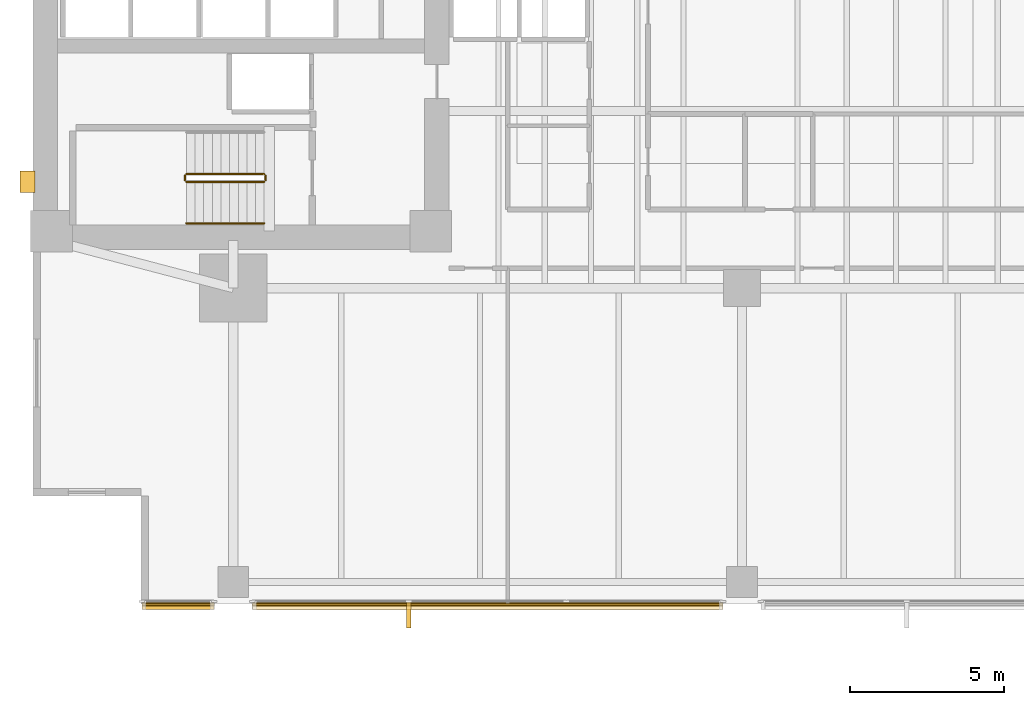
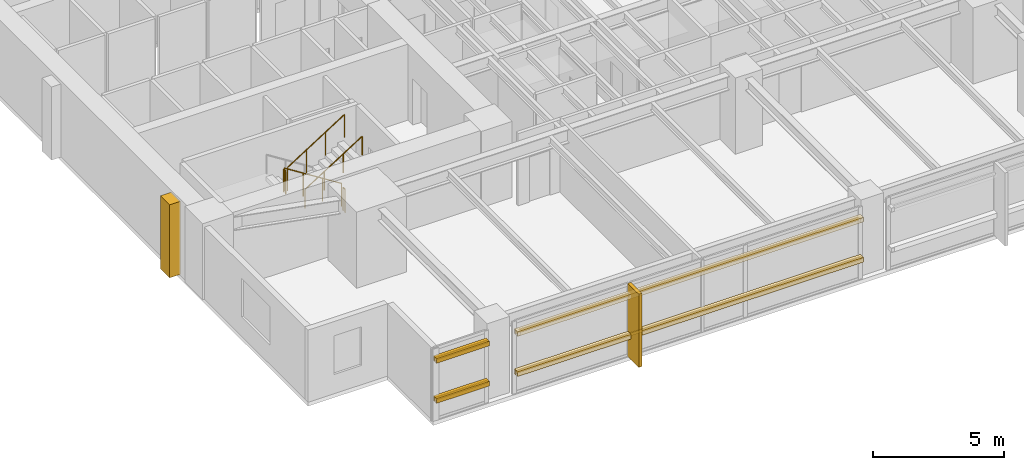
# One storey, part 12 of 15: 6 coverings, 5 railings, 4 shading devices.
"""IFC4 building model written with IfcOpenShell, lengths in metres."""

from ifc_helpers import new_model, si_unit, direction, frame, origin, origin_2d, place, context, subcontext, project, spatial, polyline, rectangle, circle, outline, extrude, material, layer, layer_set, material_profile, profile_set, type_object, element, save


model = new_model("IFC4")

# Units and contexts
model_context = context("Model", 3, precision=1e-05, world=origin(), true_north=direction((0.0, 1.0)))
body_context = subcontext(model_context, "Body", "Model", "MODEL_VIEW")
ifc_project = project(units=[si_unit("LENGTHUNIT", "METRE"), si_unit("AREAUNIT", "SQUARE_METRE"), si_unit("VOLUMEUNIT", "CUBIC_METRE"), si_unit("PLANEANGLEUNIT", "RADIAN"), si_unit("MASSUNIT", "GRAM", prefix="KILO")], contexts=[model_context])

# Site, building, storey
site_placement = place(None, origin())
site = spatial("IfcSite", under=ifc_project, at=site_placement, CompositionType="ELEMENT")
building_placement = place(site_placement, origin())
building = spatial("IfcBuilding", under=site, at=building_placement, Name="Kinhvarn Gate Tower", CompositionType="ELEMENT")
storey_placement = place(building_placement, frame((0.0, 0.0, 50.449951171875)))
storey = spatial("IfcBuildingStorey", under=building, at=storey_placement, Name="L12", CompositionType="ELEMENT", Elevation=50.449951171875)

# Coverings
ifc_material_1 = material(Name="Fired architectural terracotta", Category="masonry")
ifc_layer_1 = layer(ifc_material_1, 0.239990234375)
ifc_layer_set_1 = layer_set([ifc_layer_1], Name="Fired architectural terracotta")
covering_type_1 = type_object("IfcCoveringType", Name="COV-BAG-220", PredefinedType="CLADDING", material=ifc_layer_set_1)
covering_1_placement = place(storey_placement, frame((0.0, 0.0, 0.93994140625)))
element("IfcCovering", 1, at=covering_1_placement, inside=storey, type_object=covering_type_1, Name="Terracotta Horizontal Sunscreen Band TBG-220 (L12)", PredefinedType="CLADDING", context=body_context, shape_type="SweptSolid", body=[
    extrude(outline(polyline([(8.0400390625, 2.56005859375), (10.3798828125, 2.56005859375), (10.3798828125, 2.320068359375), (8.0400390625, 2.320068359375), (8.0400390625, 2.56005859375)])), origin(), (0.0, 0.0, 1.0), 0.22021484375),
])
covering_2_placement = place(storey_placement, frame((0.0, 0.0, 2.81005859375)))
element("IfcCovering", 2, at=covering_2_placement, inside=storey, type_object=covering_type_1, Name="Terracotta Horizontal Sunscreen Band TBG-220 (L12)", PredefinedType="CLADDING", context=body_context, shape_type="SweptSolid", body=[
    extrude(outline(polyline([(8.0400390625, 2.56005859375), (10.3798828125, 2.56005859375), (10.3798828125, 2.320068359375), (8.0400390625, 2.320068359375), (8.0400390625, 2.56005859375)])), origin(), (0.0, 0.0, 1.0), 0.219970703125),
])
covering_3_placement = place(storey_placement, frame((0.0, 0.0, 0.93994140625)))
element("IfcCovering", 3, at=covering_3_placement, inside=storey, type_object=covering_type_1, Name="Terracotta Horizontal Sunscreen Band TBG-220 (L12)", PredefinedType="CLADDING", context=body_context, shape_type="SweptSolid", body=[
    extrude(outline(polyline([(11.6201171875, 2.56005859375), (26.8798828125, 2.56005859375), (26.8798828125, 2.320068359375), (11.6201171875, 2.320068359375), (11.6201171875, 2.56005859375)])), origin(), (0.0, 0.0, 1.0), 0.22021484375),
])
covering_4_placement = place(storey_placement, frame((0.0, 0.0, 2.81005859375)))
element("IfcCovering", 4, at=covering_4_placement, inside=storey, type_object=covering_type_1, Name="Terracotta Horizontal Sunscreen Band TBG-220 (L12)", PredefinedType="CLADDING", context=body_context, shape_type="SweptSolid", body=[
    extrude(outline(polyline([(11.6201171875, 2.56005859375), (26.8798828125, 2.56005859375), (26.8798828125, 2.320068359375), (11.6201171875, 2.320068359375), (11.6201171875, 2.56005859375)])), origin(), (0.0, 0.0, 1.0), 0.219970703125),
])
ifc_layer_2 = layer(ifc_material_1, 0.139892578125)
ifc_layer_set_2 = layer_set([ifc_layer_2], Name="Fired architectural terracotta")
covering_type_2 = type_object("IfcCoveringType", Name="COV-FIN-850", PredefinedType="CLADDING", material=ifc_layer_set_2)
covering_5_placement = place(storey_placement, frame((0.0, 0.0, -0.02001953125)))
element("IfcCovering", 5, at=covering_5_placement, inside=storey, type_object=covering_type_2, Name="Vertical Terracotta Expressive Fin TFN-850 (L12)", PredefinedType="CLADDING", context=body_context, shape_type="SweptSolid", body=[
    extrude(outline(polyline([(16.623291015625, 2.570068359375), (16.76318359375, 2.570068359375), (16.76318359375, 1.719970703125), (16.623291015625, 1.719970703125), (16.623291015625, 2.570068359375)])), origin(), (0.0, 0.0, 1.0), 3.41015625),
])
ifc_material_2 = material(Name="Precast white architectural concrete C40/50", Category="concrete")
ifc_layer_3 = layer(ifc_material_2, 0.47998046875)
ifc_layer_set_3 = layer_set([ifc_layer_3], Name="Precast white architectural concrete C40/50")
covering_type_3 = type_object("IfcCoveringType", Name="COV-RIB-450", PredefinedType="CLADDING", material=ifc_layer_set_3)
covering_6_placement = place(storey_placement, frame((0.0, 0.0, -0.02001953125)))
element("IfcCovering", 6, at=covering_6_placement, inside=storey, type_object=covering_type_3, Name="West Core Sculptural Concrete Relief Rib CRB-450 (L12)", PredefinedType="CLADDING", context=body_context, shape_type="SweptSolid", body=[
    extrude(outline(polyline([(4.080078125, 15.85009765625), (4.56005859375, 15.85009765625), (4.56005859375, 16.550048828125), (4.080078125, 16.550048828125), (4.080078125, 15.85009765625)])), origin(), (0.0, 0.0, 1.0), 3.41015625),
])

# Railings
ifc_material_3 = material(Name="Steel S355", Category="steel")
railing_type_1 = type_object("IfcRailingType", Name="RL-ST-GRD", PredefinedType="BALUSTRADE", material=ifc_material_3)
railing_1_placement = place(storey_placement, frame((12.0, 16.449951171875, 0.177490234375)))
element("IfcRailing", 7, at=railing_1_placement, inside=storey, type_object=railing_type_1, Name="L12 ST1 stair guard 1", PredefinedType="BALUSTRADE", context=body_context, shape_type="SweptSolid", body=[
    extrude(circle(Radius=0.02392578125, at=origin_2d()), frame((0.0, 0.0, 1.076171875), z_axis=(-0.84456994832, 0.0, 0.535445237532), x_axis=(0.0, -1.0, 0.0)), (0.0, 0.0, 1.0), 2.98388671875),
    extrude(circle(Radius=0.02099609375, at=origin_2d()), origin(), (0.0, 0.0, 1.0), 1.052001953125),
    extrude(circle(Radius=0.02099609375, at=origin_2d()), frame((-0.840087890625, 0.0, 0.532470703125)), (0.0, 0.0, 1.0), 1.052001953125),
    extrude(circle(Radius=0.02099609375, at=origin_2d()), frame((-1.679931640625, 0.0, 1.065185546875)), (0.0, 0.0, 1.0), 1.052001953125),
    extrude(circle(Radius=0.02099609375, at=origin_2d()), frame((-2.52001953125, 0.0, 1.59765625)), (0.0, 0.0, 1.0), 1.052001953125),
])
railing_2_placement = place(storey_placement, frame((9.429931640625, 16.39990234375, 1.775146484375)))
element("IfcRailing", 8, at=railing_2_placement, inside=storey, type_object=railing_type_1, Name="L12 ST1 stair guard 2", PredefinedType="BALUSTRADE", context=body_context, shape_type="SweptSolid", body=[
    extrude(circle(Radius=0.02392578125, at=origin_2d()), frame((0.0, 0.0, 1.076171875), z_axis=(0.0, -1.0, 0.0), x_axis=(1.0, 0.0, 0.0)), (0.0, 0.0, 1.0), 0.14990234375),
    extrude(circle(Radius=0.02099609375, at=origin_2d()), origin(), (0.0, 0.0, 1.0), 1.052001953125),
    extrude(circle(Radius=0.02099609375, at=origin_2d()), frame((0.0, -0.14990234375, 0.0)), (0.0, 0.0, 1.0), 1.052001953125),
])
railing_3_placement = place(storey_placement, frame((9.47998046875, 16.199951171875, 1.95263671875)))
element("IfcRailing", 9, at=railing_3_placement, inside=storey, type_object=railing_type_1, Name="L12 ST1 stair guard 3", PredefinedType="BALUSTRADE", context=body_context, shape_type="SweptSolid", body=[
    extrude(circle(Radius=0.02392578125, at=origin_2d()), frame((0.0, 0.0, 1.076171875), z_axis=(0.84460694969, 0.0, 0.535386869969), x_axis=(0.0, 1.0, 0.0)), (0.0, 0.0, 1.0), 2.983642578125),
    extrude(circle(Radius=0.02099609375, at=origin_2d()), origin(), (0.0, 0.0, 1.0), 1.052001953125),
    extrude(circle(Radius=0.02099609375, at=origin_2d()), frame((0.840087890625, 0.0, 0.532470703125)), (0.0, 0.0, 1.0), 1.052001953125),
    extrude(circle(Radius=0.02099609375, at=origin_2d()), frame((1.679931640625, 0.0, 1.06494140625)), (0.0, 0.0, 1.0), 1.052001953125),
    extrude(circle(Radius=0.02099609375, at=origin_2d()), frame((2.52001953125, 0.0, 1.597412109375)), (0.0, 0.0, 1.0), 1.052001953125),
])
railing_4_placement = place(storey_placement, frame((12.050048828125, 16.39990234375, 0.0)))
element("IfcRailing", 10, at=railing_4_placement, inside=storey, type_object=railing_type_1, Name="L12 ST1 stair guard 4", PredefinedType="BALUSTRADE", context=body_context, shape_type="SweptSolid", body=[
    extrude(circle(Radius=0.02392578125, at=origin_2d()), frame((0.0, 0.0, 1.076171875), z_axis=(0.0, -1.0, 0.0), x_axis=(1.0, 0.0, 0.0)), (0.0, 0.0, 1.0), 0.14990234375),
    extrude(circle(Radius=0.02099609375, at=origin_2d()), origin(), (0.0, 0.0, 1.0), 1.052001953125),
    extrude(circle(Radius=0.02099609375, at=origin_2d()), frame((0.0, -0.14990234375, 0.0)), (0.0, 0.0, 1.0), 1.052001953125),
])
railing_type_2 = type_object("IfcRailingType", Name="RL-ST-HND", PredefinedType="HANDRAIL", material=ifc_material_3)
railing_5_placement = place(storey_placement, frame((9.47998046875, 14.85009765625, 1.95263671875)))
element("IfcRailing", 11, at=railing_5_placement, inside=storey, type_object=railing_type_2, Name="L12 ST1 stair handrail 2", PredefinedType="HANDRAIL", context=body_context, shape_type="SweptSolid", body=[
    extrude(circle(Radius=0.02392578125, at=origin_2d()), frame((0.0, 0.0, 0.8759765625), z_axis=(0.84460694969, 0.0, 0.535386869969), x_axis=(0.0, 1.0, 0.0)), (0.0, 0.0, 1.0), 2.983642578125),
    extrude(circle(Radius=0.02099609375, at=origin_2d()), origin(), (0.0, 0.0, 1.0), 0.851806640625),
    extrude(circle(Radius=0.02099609375, at=origin_2d()), frame((0.840087890625, 0.0, 0.532470703125)), (0.0, 0.0, 1.0), 0.851806640625),
    extrude(circle(Radius=0.02099609375, at=origin_2d()), frame((1.679931640625, 0.0, 1.06494140625)), (0.0, 0.0, 1.0), 0.851806640625),
    extrude(circle(Radius=0.02099609375, at=origin_2d()), frame((2.52001953125, 0.0, 1.597412109375)), (0.0, 0.0, 1.0), 0.851806640625),
])

# Shading devices
ifc_material_profile = material_profile(ifc_material_1, rectangle(XDim=0.06005859375, YDim=0.139892578125, at=origin_2d()), Name="TC 60x140")
ifc_profile_set = profile_set([ifc_material_profile], Name="Fired architectural terracotta")
shading_device_type = type_object("IfcShadingDeviceType", Name="SHD-BAG-180", PredefinedType="USERDEFINED", material=ifc_profile_set)
for number, where, z_axis, x_axis, name in (
    (12, (8.0400390625, 2.485107421875, 1.050048828125), (1.0, 0.0, 0.0), (0.0, 1.0, 0.0), "Fired Terracotta Baguette Screen Rod 60x140 mm (L12)"),
    (13, (8.0400390625, 2.485107421875, 2.920166015625), (1.0, 0.0, 0.0), (0.0, 1.0, 0.0), "Fired Terracotta Baguette Screen Rod 60x140 mm (L12)"),
):
    element("IfcShadingDevice", number, at=place(storey_placement, frame(where, z_axis=z_axis, x_axis=x_axis)), inside=storey, type_object=shading_device_type, Name=name, ObjectType="BAGUETTE", PredefinedType="USERDEFINED", context=body_context, shape_type="SweptSolid", body=[
        extrude(rectangle(XDim=0.06005859375, YDim=0.139892578125, at=origin_2d()), origin(), (0.0, 0.0, 1.0), 2.33984375),
    ])
for number, where, z_axis, x_axis, name in (
    (14, (11.6201171875, 2.485107421875, 1.050048828125), (1.0, 0.0, 0.0), (0.0, 1.0, 0.0), "Fired Terracotta Baguette Screen Rod 60x140 mm (L12)"),
    (15, (11.6201171875, 2.485107421875, 2.920166015625), (1.0, 0.0, 0.0), (0.0, 1.0, 0.0), "Fired Terracotta Baguette Screen Rod 60x140 mm (L12)"),
):
    element("IfcShadingDevice", number, at=place(storey_placement, frame(where, z_axis=z_axis, x_axis=x_axis)), inside=storey, type_object=shading_device_type, Name=name, ObjectType="BAGUETTE", PredefinedType="USERDEFINED", context=body_context, shape_type="SweptSolid", body=[
        extrude(rectangle(XDim=0.06005859375, YDim=0.139892578125, at=origin_2d()), origin(), (0.0, 0.0, 1.0), 15.259765625),
    ])

save(model, "model.ifc")
